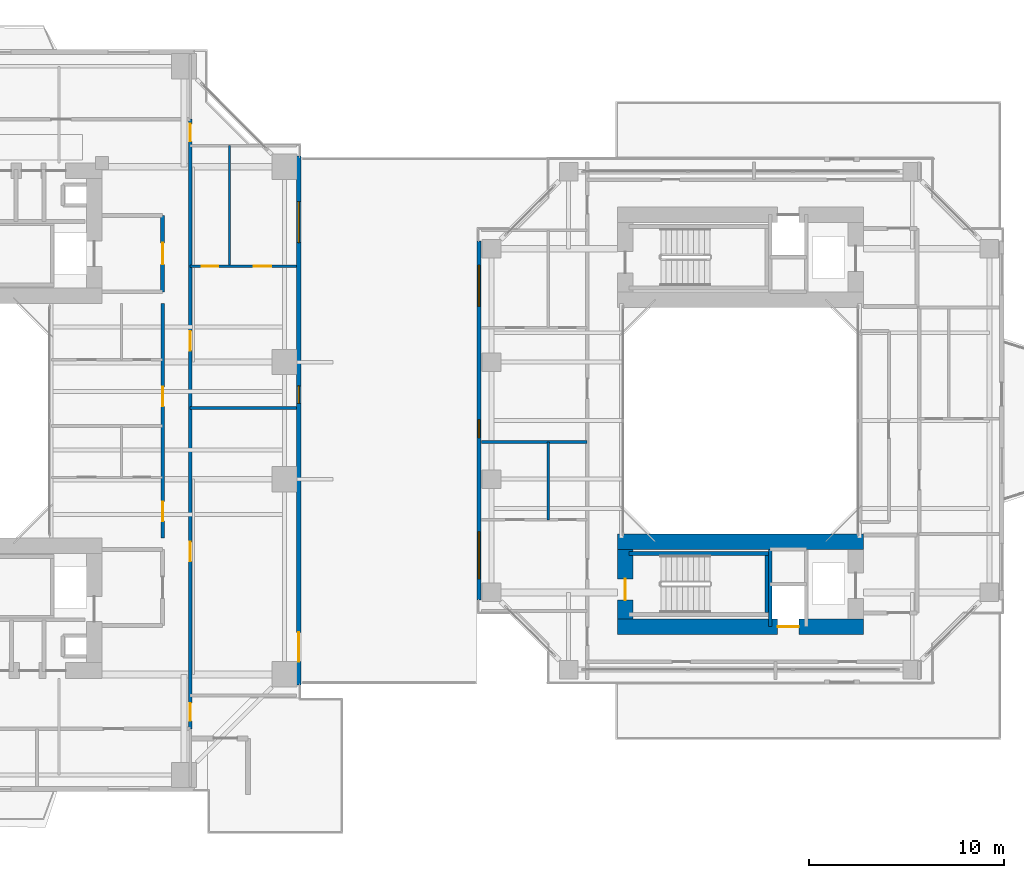
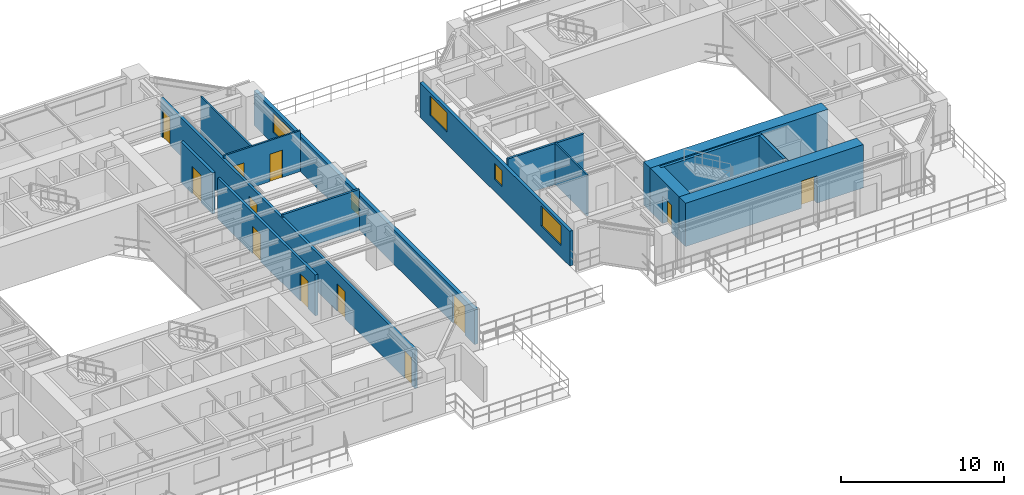
# One storey, part 13 of 22: 16 walls, 12 doors, 5 windows, 17 openings.
"""IFC4 building model written with IfcOpenShell, lengths in metres."""

from ifc_helpers import new_model, si_unit, direction, frame, frame_2d, origin, place, context, subcontext, project, spatial, rectangle, extrude, source, transform, mapped, material, layer, layer_set, type_object, element, fill, save


model = new_model("IFC4")

# Units and contexts
model_context = context("Model", 3, precision=1e-05, world=origin(), true_north=direction((0.0, 1.0)))
body_context = subcontext(model_context, "Body", "Model", "MODEL_VIEW")
ifc_project = project(units=[si_unit("LENGTHUNIT", "METRE"), si_unit("AREAUNIT", "SQUARE_METRE"), si_unit("VOLUMEUNIT", "CUBIC_METRE"), si_unit("PLANEANGLEUNIT", "RADIAN"), si_unit("MASSUNIT", "GRAM", prefix="KILO"), si_unit("THERMODYNAMICTEMPERATUREUNIT", "KELVIN"), si_unit("POWERUNIT", "WATT")], contexts=[model_context])

# Site, building, storey
site_placement = place(None, origin())
site = spatial("IfcSite", under=ifc_project, at=site_placement, CompositionType="ELEMENT")
building_placement = place(site_placement, origin())
building = spatial("IfcBuilding", under=site, at=building_placement, Name="Qiaomeng Ring Towers", CompositionType="ELEMENT")
storey_placement = place(building_placement, frame((0.0, 0.0, 23.0)))
storey = spatial("IfcBuildingStorey", under=building, at=storey_placement, Name="L05", CompositionType="ELEMENT", Elevation=23.0)

# Wall, openings, windows, door
ifc_material_1 = material(Name="Precast concrete C40", Category="concrete")
ifc_layer_1 = layer(ifc_material_1, 0.25, Name="Precast concrete C40")
ifc_layer_set_1 = layer_set([ifc_layer_1], Name="Precast concrete C40")
wall_type_1 = type_object("IfcWallType", Name="ARC-WL-EW1", PredefinedType="STANDARD", material=ifc_layer_set_1)
wall_1_placement = place(storey_placement, frame((37.875, 9.449951171875, 0.0), z_axis=(0.0, 0.0, 1.0), x_axis=(0.0, 1.0, 0.0)))
wall_1 = element("IfcWall", 1, at=wall_1_placement, inside=storey, type_object=wall_type_1, Name="L05 Tower 1 E Exterior Wall", PredefinedType="STANDARD", context=body_context, shape_type="SweptSolid", body=[
    extrude(rectangle(XDim=27.10009765625, YDim=0.25, at=frame_2d((13.550048828125, 0.0))), origin(), (0.0, 0.0, 1.0), 2.610107421875),
])
opening_1_placement = place(wall_1_placement, frame((1.199951171875, 0.0, 0.0)))
opening_1 = element("IfcOpeningElement", 2, at=opening_1_placement, cuts=wall_1, Name="Opening BD2", PredefinedType="OPENING", context=body_context, shape_type="SweptSolid", body=[
    extrude(rectangle(XDim=1.5, YDim=2.14990234375, at=frame_2d((0.75, 1.074951171875))), frame((0.0, 0.135009765625, 0.0), z_axis=(0.0, -1.0, 0.0), x_axis=(1.0, 0.0, 0.0)), (0.0, 0.0, 1.0), 0.27001953125),
])
opening_2_placement = place(wall_1_placement, frame((22.6630859375, 0.0, 0.89990234375)))
opening_2 = element("IfcOpeningElement", 3, at=opening_2_placement, cuts=wall_1, Name="Opening WN4", PredefinedType="OPENING", context=body_context, shape_type="SweptSolid", body=[
    extrude(rectangle(XDim=2.10009765625, YDim=1.47998046875, at=frame_2d((1.050048828125, 0.739990234375))), frame((0.0, 0.135009765625, 0.0), z_axis=(0.0, -1.0, 0.0), x_axis=(1.0, 0.0, 0.0)), (0.0, 0.0, 1.0), 0.27001953125),
])
opening_3_placement = place(wall_1_placement, frame((14.43505859375, 0.0, 0.89990234375)))
opening_3 = element("IfcOpeningElement", 4, at=opening_3_placement, cuts=wall_1, Name="Opening WN5", PredefinedType="OPENING", context=body_context, shape_type="SweptSolid", body=[
    extrude(rectangle(XDim=0.89990234375, YDim=1.199951171875, at=frame_2d((0.449951171875, 0.60009765625))), frame((0.0, 0.135009765625, 0.0), z_axis=(0.0, -1.0, 0.0), x_axis=(1.0, 0.0, 0.0)), (0.0, 0.0, 1.0), 0.27001953125),
])
ifc_material_2 = material(Name="Low-E dark-grey laminated double glazing", Category="glass")
window_type_1 = type_object("IfcWindowType", Name="ARC-WN-4", PartitioningType="TRIPLE_PANEL_VERTICAL", PredefinedType="WINDOW", material=ifc_material_2)
shared_shape_1 = source(origin(), body_context, "Body", "SweptSolid", [
    extrude(rectangle(XDim=2.10009765625, YDim=1.47998046875, at=frame_2d((1.050048828125, 0.739990234375))), frame((0.0, 0.030029296875, 0.0), z_axis=(0.0, -1.0, 0.0), x_axis=(1.0, 0.0, 0.0)), (0.0, 0.0, 1.0), 0.06005859375),
])
window_1_placement = place(opening_2_placement, origin())
window_1 = element("IfcWindow", 5, at=window_1_placement, inside=storey, type_object=window_type_1, Name="L05 Exterior Window WN4", OverallHeight=1.47998046875, OverallWidth=2.10009765625, PartitioningType="TRIPLE_PANEL_VERTICAL", PredefinedType="WINDOW", context=body_context, shape_type="MappedRepresentation", body=[
    mapped(shared_shape_1, transform((0.0, 0.0, 0.0), x_axis=(1.0, 0.0, 0.0), y_axis=(0.0, 1.0, 0.0), z_axis=(0.0, 0.0, 1.0), scale=1.0)),
])
fill(opening_2, window_1)
ifc_material_3 = material(Name="Low-E pale-green laminated safety glass", Category="glass")
door_type_1 = type_object("IfcDoorType", Name="ARC-DR-BD2", OperationType="NOTDEFINED", PredefinedType="DOOR", material=ifc_material_3)
shared_shape_2 = source(origin(), body_context, "Body", "SweptSolid", [
    extrude(rectangle(XDim=1.5, YDim=2.14990234375, at=frame_2d((0.75, 1.074951171875))), frame((0.0, 0.02490234375, 0.0), z_axis=(0.0, -1.0, 0.0), x_axis=(1.0, 0.0, 0.0)), (0.0, 0.0, 1.0), 0.050048828125),
])
door_1_placement = place(opening_1_placement, origin())
door_1 = element("IfcDoor", 6, at=door_1_placement, inside=storey, type_object=door_type_1, Name="L05 Shared Podium Sky Garden Door", OperationType="DOUBLE_DOOR_SINGLE_SWING", OverallHeight=2.14990234375, OverallWidth=1.5, PredefinedType="DOOR", context=body_context, shape_type="MappedRepresentation", body=[
    mapped(shared_shape_2, transform((0.0, 0.0, 0.0), x_axis=(1.0, 0.0, 0.0), y_axis=(0.0, 1.0, 0.0), z_axis=(0.0, 0.0, 1.0), scale=1.0)),
])
fill(opening_1, door_1)
window_type_2 = type_object("IfcWindowType", Name="ARC-WN-5", PartitioningType="SINGLE_PANEL", PredefinedType="WINDOW", material=ifc_material_2)
shared_shape_3 = source(origin(), body_context, "Body", "SweptSolid", [
    extrude(rectangle(XDim=0.89990234375, YDim=1.199951171875, at=frame_2d((0.449951171875, 0.60009765625))), frame((0.0, 0.030029296875, 0.0), z_axis=(0.0, -1.0, 0.0), x_axis=(1.0, 0.0, 0.0)), (0.0, 0.0, 1.0), 0.06005859375),
])
window_2_placement = place(opening_3_placement, origin())
window_2 = element("IfcWindow", 7, at=window_2_placement, inside=storey, type_object=window_type_2, Name="L05 Exterior Window WN5", OverallHeight=1.199951171875, OverallWidth=0.89990234375, PartitioningType="SINGLE_PANEL", PredefinedType="WINDOW", context=body_context, shape_type="MappedRepresentation", body=[
    mapped(shared_shape_3, transform((0.0, 0.0, 0.0), x_axis=(1.0, 0.0, 0.0), y_axis=(0.0, 1.0, 0.0), z_axis=(0.0, 0.0, 1.0), scale=1.0)),
])
fill(opening_3, window_2)

# Wall, openings, windows
ifc_layer_2 = layer(ifc_material_1, 0.219970703125, Name="Precast concrete C40")
ifc_layer_set_2 = layer_set([ifc_layer_2], Name="Precast concrete C40")
wall_type_2 = type_object("IfcWallType", Name="ARC-WL-EW2", PredefinedType="STANDARD", material=ifc_layer_set_2)
wall_2_placement = place(storey_placement, frame((47.110107421875, 13.800048828125, 0.0), z_axis=(0.0, 0.0, 1.0), x_axis=(0.0, 1.0, 0.0)))
wall_2 = element("IfcWall", 8, at=wall_2_placement, inside=storey, type_object=wall_type_2, Name="L05 Companion West Wall", PredefinedType="STANDARD", context=body_context, shape_type="SweptSolid", body=[
    extrude(rectangle(XDim=18.39990234375, YDim=0.219970703125, at=frame_2d((9.199951171875, 0.0))), origin(), (0.0, 0.0, 1.0), 2.610107421875),
])
opening_4_placement = place(wall_2_placement, frame((1.10009765625, 0.0, 0.89990234375)))
opening_4 = element("IfcOpeningElement", 9, at=opening_4_placement, cuts=wall_2, Name="Opening WN6", PredefinedType="OPENING", context=body_context, shape_type="SweptSolid", body=[
    extrude(rectangle(XDim=2.39990234375, YDim=1.47998046875, at=frame_2d((1.199951171875, 0.739990234375))), frame((0.0, 0.119873046875, 0.0), z_axis=(0.0, -1.0, 0.0), x_axis=(1.0, 0.0, 0.0)), (0.0, 0.0, 1.0), 0.239990234375),
])
opening_5_placement = place(wall_2_placement, frame((15.050048828125, 0.0, 0.89990234375)))
opening_5 = element("IfcOpeningElement", 10, at=opening_5_placement, cuts=wall_2, Name="Opening WN4", PredefinedType="OPENING", context=body_context, shape_type="SweptSolid", body=[
    extrude(rectangle(XDim=2.10009765625, YDim=1.47998046875, at=frame_2d((1.050048828125, 0.739990234375))), frame((0.0, 0.119873046875, 0.0), z_axis=(0.0, -1.0, 0.0), x_axis=(1.0, 0.0, 0.0)), (0.0, 0.0, 1.0), 0.239990234375),
])
opening_6_placement = place(wall_2_placement, frame((8.3349609375, 0.0, 0.89990234375)))
opening_6 = element("IfcOpeningElement", 11, at=opening_6_placement, cuts=wall_2, Name="Opening WN5", PredefinedType="OPENING", context=body_context, shape_type="SweptSolid", body=[
    extrude(rectangle(XDim=0.89990234375, YDim=1.199951171875, at=frame_2d((0.449951171875, 0.60009765625))), frame((0.0, 0.119873046875, 0.0), z_axis=(0.0, -1.0, 0.0), x_axis=(1.0, 0.0, 0.0)), (0.0, 0.0, 1.0), 0.239990234375),
])
window_3_placement = place(opening_5_placement, origin())
window_3 = element("IfcWindow", 12, at=window_3_placement, inside=storey, type_object=window_type_1, Name="L05 Exterior Window WN4", OverallHeight=1.47998046875, OverallWidth=2.10009765625, PartitioningType="TRIPLE_PANEL_VERTICAL", PredefinedType="WINDOW", context=body_context, shape_type="MappedRepresentation", body=[
    mapped(shared_shape_1, transform((0.0, 0.0, 0.0), x_axis=(1.0, 0.0, 0.0), y_axis=(0.0, 1.0, 0.0), z_axis=(0.0, 0.0, 1.0), scale=1.0)),
])
fill(opening_5, window_3)
window_type_3 = type_object("IfcWindowType", Name="ARC-WN-6", PartitioningType="TRIPLE_PANEL_VERTICAL", PredefinedType="WINDOW", material=ifc_material_2)
shared_shape_4 = source(origin(), body_context, "Body", "SweptSolid", [
    extrude(rectangle(XDim=2.39990234375, YDim=1.47998046875, at=frame_2d((1.199951171875, 0.739990234375))), frame((0.0, 0.030029296875, 0.0), z_axis=(0.0, -1.0, 0.0), x_axis=(1.0, 0.0, 0.0)), (0.0, 0.0, 1.0), 0.06005859375),
])
window_4_placement = place(opening_4_placement, origin())
window_4 = element("IfcWindow", 13, at=window_4_placement, inside=storey, type_object=window_type_3, Name="L05 Exterior Window WN6", OverallHeight=1.47998046875, OverallWidth=2.39990234375, PartitioningType="TRIPLE_PANEL_VERTICAL", PredefinedType="WINDOW", context=body_context, shape_type="MappedRepresentation", body=[
    mapped(shared_shape_4, transform((0.0, 0.0, 0.0), x_axis=(1.0, 0.0, 0.0), y_axis=(0.0, 1.0, 0.0), z_axis=(0.0, 0.0, 1.0), scale=1.0)),
])
fill(opening_4, window_4)
window_5_placement = place(opening_6_placement, origin())
window_5 = element("IfcWindow", 14, at=window_5_placement, inside=storey, type_object=window_type_2, Name="L05 Exterior Window WN5", OverallHeight=1.199951171875, OverallWidth=0.89990234375, PartitioningType="SINGLE_PANEL", PredefinedType="WINDOW", context=body_context, shape_type="MappedRepresentation", body=[
    mapped(shared_shape_3, transform((0.0, 0.0, 0.0), x_axis=(1.0, 0.0, 0.0), y_axis=(0.0, 1.0, 0.0), z_axis=(0.0, 0.0, 1.0), scale=1.0)),
])
fill(opening_6, window_5)

# Wall, opening, door
ifc_material_4 = material(Name="Autoclaved aerated concrete block", Category="concrete")
ifc_layer_3 = layer(ifc_material_4, 0.199951171875, Name="Autoclaved aerated concrete block")
ifc_layer_set_3 = layer_set([ifc_layer_3], Name="Autoclaved aerated concrete block")
wall_type_3 = type_object("IfcWallType", Name="ARC-WL-PW1", PredefinedType="PARTITIONING", material=ifc_layer_set_3)
wall_3_placement = place(storey_placement, frame((30.89990234375, 29.60009765625, 0.0), z_axis=(0.0, 0.0, 1.0), x_axis=(0.0, 1.0, 0.0)))
wall_3 = element("IfcWall", 15, at=wall_3_placement, inside=storey, type_object=wall_type_3, Name="L05 Interior Wall PW1", PredefinedType="PARTITIONING", context=body_context, shape_type="SweptSolid", body=[
    extrude(rectangle(XDim=3.89990234375, YDim=0.199951171875, at=frame_2d((1.949951171875, 0.0))), origin(), (0.0, 0.0, 1.0), 3.070068359375),
])
opening_7_placement = place(wall_3_placement, frame((1.39990234375, 0.0, 0.0)))
opening_7 = element("IfcOpeningElement", 16, at=opening_7_placement, cuts=wall_3, Name="Opening FD3", PredefinedType="OPENING", context=body_context, shape_type="SweptSolid", body=[
    extrude(rectangle(XDim=1.10009765625, YDim=2.050048828125, at=frame_2d((0.550048828125, 1.02490234375))), frame((0.0, 0.10986328125, 0.0), z_axis=(0.0, -1.0, 0.0), x_axis=(1.0, 0.0, 0.0)), (0.0, 0.0, 1.0), 0.219970703125),
])
ifc_material_5 = material(Name="Galvanised steel", Category="steel")
door_type_2 = type_object("IfcDoorType", Name="ARC-DR-FD3", OperationType="NOTDEFINED", PredefinedType="DOOR", material=ifc_material_5)
shared_shape_5 = source(origin(), body_context, "Body", "SweptSolid", [
    extrude(rectangle(XDim=1.10009765625, YDim=2.050048828125, at=frame_2d((0.550048828125, 1.02490234375))), frame((0.0, 0.02490234375, 0.0), z_axis=(0.0, -1.0, 0.0), x_axis=(1.0, 0.0, 0.0)), (0.0, 0.0, 1.0), 0.050048828125),
])
door_2_placement = place(opening_7_placement, origin())
door_2 = element("IfcDoor", 17, at=door_2_placement, inside=storey, type_object=door_type_2, Name="L05 North FF Lobby Door", OperationType="SINGLE_SWING_RIGHT", OverallHeight=2.050048828125, OverallWidth=1.10009765625, PredefinedType="DOOR", context=body_context, shape_type="MappedRepresentation", body=[
    mapped(shared_shape_5, transform((0.0, 0.0, 0.0), x_axis=(1.0, 0.0, 0.0), y_axis=(0.0, 1.0, 0.0), z_axis=(0.0, 0.0, 1.0), scale=1.0)),
])
fill(opening_7, door_2)

# Wall, openings, doors
ifc_layer_4 = layer(ifc_material_4, 0.179931640625, Name="Autoclaved aerated concrete block")
ifc_layer_set_4 = layer_set([ifc_layer_4], Name="Autoclaved aerated concrete block")
wall_type_4 = type_object("IfcWallType", Name="ARC-WL-PW2", PredefinedType="PARTITIONING", material=ifc_layer_set_4)
wall_4_placement = place(storey_placement, frame((32.320068359375, 7.2099609375, 0.0), z_axis=(0.0, 0.0, 1.0), x_axis=(0.0, 1.0, 0.0)))
wall_4 = element("IfcWall", 18, at=wall_4_placement, inside=storey, type_object=wall_type_4, Name="L05 Interior Wall PW2", PredefinedType="PARTITIONING", context=body_context, shape_type="SweptSolid", body=[
    extrude(rectangle(XDim=31.22998046875, YDim=0.179931640625, at=frame_2d((15.614990234375, 0.0))), origin(), (0.0, 0.0, 1.0), 2.864990234375),
])
opening_8_placement = place(wall_4_placement, frame((30.090087890625, 0.0, 0.0)))
opening_8 = element("IfcOpeningElement", 19, at=opening_8_placement, cuts=wall_4, Name="Opening ID1", PredefinedType="OPENING", context=body_context, shape_type="SweptSolid", body=[
    extrude(rectangle(XDim=0.89990234375, YDim=2.050048828125, at=frame_2d((0.449951171875, 1.02490234375))), frame((0.0, 0.099853515625, 0.0), z_axis=(0.0, -1.0, 0.0), x_axis=(1.0, 0.0, 0.0)), (0.0, 0.0, 1.0), 0.199951171875),
])
opening_9_placement = place(wall_4_placement, frame((0.4150390625, 0.0, 0.0)))
opening_9 = element("IfcOpeningElement", 20, at=opening_9_placement, cuts=wall_4, Name="Opening ID1", PredefinedType="OPENING", context=body_context, shape_type="SweptSolid", body=[
    extrude(rectangle(XDim=0.89990234375, YDim=2.050048828125, at=frame_2d((0.449951171875, 1.02490234375))), frame((0.0, 0.099853515625, 0.0), z_axis=(0.0, -1.0, 0.0), x_axis=(1.0, 0.0, 0.0)), (0.0, 0.0, 1.0), 0.199951171875),
])
opening_10_placement = place(wall_4_placement, frame((8.574951171875, 0.0, 0.0)))
opening_10 = element("IfcOpeningElement", 21, at=opening_10_placement, cuts=wall_4, Name="Opening FD4", PredefinedType="OPENING", context=body_context, shape_type="SweptSolid", body=[
    extrude(rectangle(XDim=1.0, YDim=2.050048828125, at=frame_2d((0.5, 1.02490234375))), frame((0.0, 0.099853515625, 0.0), z_axis=(0.0, -1.0, 0.0), x_axis=(1.0, 0.0, 0.0)), (0.0, 0.0, 1.0), 0.199951171875),
])
opening_11_placement = place(wall_4_placement, frame((19.375, 0.0, 0.0)))
opening_11 = element("IfcOpeningElement", 22, at=opening_11_placement, cuts=wall_4, Name="Opening FD4", PredefinedType="OPENING", context=body_context, shape_type="SweptSolid", body=[
    extrude(rectangle(XDim=1.0, YDim=2.050048828125, at=frame_2d((0.5, 1.02490234375))), frame((0.0, 0.099853515625, 0.0), z_axis=(0.0, -1.0, 0.0), x_axis=(1.0, 0.0, 0.0)), (0.0, 0.0, 1.0), 0.199951171875),
])
ifc_material_6 = material(Name="Engineered fire-rated oak timber", Category="wood")
door_type_3 = type_object("IfcDoorType", Name="ARC-DR-FD4", OperationType="NOTDEFINED", PredefinedType="DOOR", material=ifc_material_6)
shared_shape_6 = source(origin(), body_context, "Body", "SweptSolid", [
    extrude(rectangle(XDim=1.0, YDim=2.050048828125, at=frame_2d((0.5, 1.02490234375))), frame((0.0, 0.02490234375, 0.0), z_axis=(0.0, -1.0, 0.0), x_axis=(1.0, 0.0, 0.0)), (0.0, 0.0, 1.0), 0.050048828125),
])
door_3_placement = place(opening_10_placement, origin())
door_3 = element("IfcDoor", 23, at=door_3_placement, inside=storey, type_object=door_type_3, Name="L05 Door FD4", OperationType="SINGLE_SWING_RIGHT", OverallHeight=2.050048828125, OverallWidth=1.0, PredefinedType="DOOR", context=body_context, shape_type="MappedRepresentation", body=[
    mapped(shared_shape_6, transform((0.0, 0.0, 0.0), x_axis=(1.0, 0.0, 0.0), y_axis=(0.0, 1.0, 0.0), z_axis=(0.0, 0.0, 1.0), scale=1.0)),
])
fill(opening_10, door_3)
door_4_placement = place(opening_11_placement, origin())
door_4 = element("IfcDoor", 24, at=door_4_placement, inside=storey, type_object=door_type_3, Name="L05 Door FD4", OperationType="SINGLE_SWING_LEFT", OverallHeight=2.050048828125, OverallWidth=1.0, PredefinedType="DOOR", context=body_context, shape_type="MappedRepresentation", body=[
    mapped(shared_shape_6, transform((0.0, 0.0, 0.0), x_axis=(1.0, 0.0, 0.0), y_axis=(0.0, 1.0, 0.0), z_axis=(0.0, 0.0, 1.0), scale=1.0)),
])
fill(opening_11, door_4)
ifc_material_7 = material(Name="Engineered oak timber", Category="wood")
door_type_4 = type_object("IfcDoorType", Name="ARC-DR-ID1", OperationType="NOTDEFINED", PredefinedType="DOOR", material=ifc_material_7)
shared_shape_7 = source(origin(), body_context, "Body", "SweptSolid", [
    extrude(rectangle(XDim=0.89990234375, YDim=2.050048828125, at=frame_2d((0.449951171875, 1.02490234375))), frame((0.0, 0.02490234375, 0.0), z_axis=(0.0, -1.0, 0.0), x_axis=(1.0, 0.0, 0.0)), (0.0, 0.0, 1.0), 0.050048828125),
])
door_5_placement = place(opening_8_placement, origin())
door_5 = element("IfcDoor", 25, at=door_5_placement, inside=storey, type_object=door_type_4, Name="L05 Door ID1", OperationType="SINGLE_SWING_RIGHT", OverallHeight=2.050048828125, OverallWidth=0.89990234375, PredefinedType="DOOR", context=body_context, shape_type="MappedRepresentation", body=[
    mapped(shared_shape_7, transform((0.0, 0.0, 0.0), x_axis=(1.0, 0.0, 0.0), y_axis=(0.0, 1.0, 0.0), z_axis=(0.0, 0.0, 1.0), scale=1.0)),
])
fill(opening_8, door_5)
door_6_placement = place(opening_9_placement, origin())
door_6 = element("IfcDoor", 26, at=door_6_placement, inside=storey, type_object=door_type_4, Name="L05 Door ID1", OperationType="SINGLE_SWING_LEFT", OverallHeight=2.050048828125, OverallWidth=0.89990234375, PredefinedType="DOOR", context=body_context, shape_type="MappedRepresentation", body=[
    mapped(shared_shape_7, transform((0.0, 0.0, 0.0), x_axis=(1.0, 0.0, 0.0), y_axis=(0.0, 1.0, 0.0), z_axis=(0.0, 0.0, 1.0), scale=1.0)),
])
fill(opening_9, door_6)

wall_5_placement = place(storey_placement, frame((30.89990234375, 17.0, 0.0), z_axis=(0.0, 0.0, 1.0), x_axis=(0.0, 1.0, 0.0)))
wall_5 = element("IfcWall", 27, at=wall_5_placement, inside=storey, type_object=wall_type_4, Name="L05 Interior Wall PW2", PredefinedType="PARTITIONING", context=body_context, shape_type="SweptSolid", body=[
    extrude(rectangle(XDim=12.0, YDim=0.179931640625, at=frame_2d((6.0, 0.0))), origin(), (0.0, 0.0, 1.0), 3.070068359375),
])
opening_12_placement = place(wall_5_placement, frame((0.85498046875, 0.0, 0.0)))
opening_12 = element("IfcOpeningElement", 28, at=opening_12_placement, cuts=wall_5, Name="Opening FD4", PredefinedType="OPENING", context=body_context, shape_type="SweptSolid", body=[
    extrude(rectangle(XDim=1.0, YDim=2.050048828125, at=frame_2d((0.5, 1.02490234375))), frame((0.0, 0.099853515625, 0.0), z_axis=(0.0, -1.0, 0.0), x_axis=(1.0, 0.0, 0.0)), (0.0, 0.0, 1.0), 0.199951171875),
])
opening_13_placement = place(wall_5_placement, frame((6.72509765625, 0.0, 0.0)))
opening_13 = element("IfcOpeningElement", 29, at=opening_13_placement, cuts=wall_5, Name="Opening FD4", PredefinedType="OPENING", context=body_context, shape_type="SweptSolid", body=[
    extrude(rectangle(XDim=1.0, YDim=2.050048828125, at=frame_2d((0.5, 1.02490234375))), frame((0.0, 0.099853515625, 0.0), z_axis=(0.0, -1.0, 0.0), x_axis=(1.0, 0.0, 0.0)), (0.0, 0.0, 1.0), 0.199951171875),
])
door_7_placement = place(opening_12_placement, origin())
door_7 = element("IfcDoor", 30, at=door_7_placement, inside=storey, type_object=door_type_3, Name="L05 Door FD4", OperationType="SINGLE_SWING_RIGHT", OverallHeight=2.050048828125, OverallWidth=1.0, PredefinedType="DOOR", context=body_context, shape_type="MappedRepresentation", body=[
    mapped(shared_shape_6, transform((0.0, 0.0, 0.0), x_axis=(1.0, 0.0, 0.0), y_axis=(0.0, 1.0, 0.0), z_axis=(0.0, 0.0, 1.0), scale=1.0)),
])
fill(opening_12, door_7)
door_8_placement = place(opening_13_placement, origin())
door_8 = element("IfcDoor", 31, at=door_8_placement, inside=storey, type_object=door_type_3, Name="L05 Door FD4", OperationType="SINGLE_SWING_LEFT", OverallHeight=2.050048828125, OverallWidth=1.0, PredefinedType="DOOR", context=body_context, shape_type="MappedRepresentation", body=[
    mapped(shared_shape_6, transform((0.0, 0.0, 0.0), x_axis=(1.0, 0.0, 0.0), y_axis=(0.0, 1.0, 0.0), z_axis=(0.0, 0.0, 1.0), scale=1.0)),
])
fill(opening_13, door_8)

# Walls
ifc_material_8 = material(Name="Gypsum fireboard steel-stud partition", Category="steel")
ifc_layer_5 = layer(ifc_material_8, 0.14990234375, Name="Gypsum fireboard steel-stud partition")
ifc_layer_set_5 = layer_set([ifc_layer_5], Name="Gypsum fireboard steel-stud partition")
wall_type_5 = type_object("IfcWallType", Name="ARC-WL-PW3", PredefinedType="PARTITIONING", material=ifc_layer_set_5)
wall_6_placement = place(storey_placement, frame((32.320068359375, 23.64990234375, 0.0), z_axis=(0.0, 0.0, 1.0), x_axis=(1.0, 0.0, 0.0)))
element("IfcWall", 32, at=wall_6_placement, inside=storey, type_object=wall_type_5, Name="L05 Interior Wall PW3", PredefinedType="PARTITIONING", context=body_context, shape_type="SweptSolid", body=[
    extrude(rectangle(XDim=5.429931640625, YDim=0.14990234375, at=frame_2d((2.71484375, 0.0))), origin(), (0.0, 0.0, 1.0), 3.070068359375),
])
wall_7_placement = place(storey_placement, frame((47.25, 21.89990234375, 0.0), z_axis=(0.0, 0.0, 1.0), x_axis=(1.0, 0.0, 0.0)))
element("IfcWall", 33, at=wall_7_placement, inside=storey, type_object=wall_type_5, Name="L05 Interior Wall PW3", PredefinedType="PARTITIONING", context=body_context, shape_type="SweptSolid", body=[
    extrude(rectangle(XDim=5.39990234375, YDim=0.14990234375, at=frame_2d((2.699951171875, 0.0))), origin(), (0.0, 0.0, 1.0), 3.070068359375),
])

# Wall, openings, doors
ifc_material_9 = material(Name="Moisture-resistant gypsum steel-stud partition", Category="steel")
ifc_layer_6 = layer(ifc_material_9, 0.1201171875, Name="Moisture-resistant gypsum steel-stud partition")
ifc_layer_set_6 = layer_set([ifc_layer_6], Name="Moisture-resistant gypsum steel-stud partition")
wall_type_6 = type_object("IfcWallType", Name="ARC-WL-PW4", PredefinedType="PLUMBINGWALL", material=ifc_layer_set_6)
wall_8_placement = place(storey_placement, frame((32.320068359375, 30.89990234375, 0.0), z_axis=(0.0, 0.0, 1.0), x_axis=(1.0, 0.0, 0.0)))
wall_8 = element("IfcWall", 34, at=wall_8_placement, inside=storey, type_object=wall_type_6, Name="L05 Interior Wall PW4", PredefinedType="PLUMBINGWALL", context=body_context, shape_type="SweptSolid", body=[
    extrude(rectangle(XDim=5.429931640625, YDim=0.1201171875, at=frame_2d((2.71484375, 0.0))), origin(), (0.0, 0.0, 1.0), 3.070068359375),
])
opening_14_placement = place(wall_8_placement, frame((0.590087890625, 0.0, 0.0)))
opening_14 = element("IfcOpeningElement", 35, at=opening_14_placement, cuts=wall_8, Name="Opening ID2", PredefinedType="OPENING", context=body_context, shape_type="SweptSolid", body=[
    extrude(rectangle(XDim=0.85009765625, YDim=2.050048828125, at=frame_2d((0.425048828125, 1.02490234375))), frame((0.0, 0.070068359375, 0.0), z_axis=(0.0, -1.0, 0.0), x_axis=(1.0, 0.0, 0.0)), (0.0, 0.0, 1.0), 0.14013671875),
])
opening_15_placement = place(wall_8_placement, frame((3.260009765625, 0.0, 0.0)))
opening_15 = element("IfcOpeningElement", 36, at=opening_15_placement, cuts=wall_8, Name="Opening ID1", PredefinedType="OPENING", context=body_context, shape_type="SweptSolid", body=[
    extrude(rectangle(XDim=0.89990234375, YDim=2.050048828125, at=frame_2d((0.449951171875, 1.02490234375))), frame((0.0, 0.070068359375, 0.0), z_axis=(0.0, -1.0, 0.0), x_axis=(1.0, 0.0, 0.0)), (0.0, 0.0, 1.0), 0.14013671875),
])
ifc_material_10 = material(Name="Moisture-resistant engineered timber", Category="wood")
door_type_5 = type_object("IfcDoorType", Name="ARC-DR-ID2", OperationType="NOTDEFINED", PredefinedType="DOOR", material=ifc_material_10)
shared_shape_8 = source(origin(), body_context, "Body", "SweptSolid", [
    extrude(rectangle(XDim=0.85009765625, YDim=2.050048828125, at=frame_2d((0.425048828125, 1.02490234375))), frame((0.0, 0.02490234375, 0.0), z_axis=(0.0, -1.0, 0.0), x_axis=(1.0, 0.0, 0.0)), (0.0, 0.0, 1.0), 0.050048828125),
])
door_9_placement = place(opening_14_placement, origin())
door_9 = element("IfcDoor", 37, at=door_9_placement, inside=storey, type_object=door_type_5, Name="L05 Door ID2", OperationType="SINGLE_SWING_LEFT", OverallHeight=2.050048828125, OverallWidth=0.85009765625, PredefinedType="DOOR", context=body_context, shape_type="MappedRepresentation", body=[
    mapped(shared_shape_8, transform((0.0, 0.0, 0.0), x_axis=(1.0, 0.0, 0.0), y_axis=(0.0, 1.0, 0.0), z_axis=(0.0, 0.0, 1.0), scale=1.0)),
])
fill(opening_14, door_9)
door_10_placement = place(opening_15_placement, origin())
door_10 = element("IfcDoor", 38, at=door_10_placement, inside=storey, type_object=door_type_4, Name="L05 Door ID1", OperationType="SINGLE_SWING_RIGHT", OverallHeight=2.050048828125, OverallWidth=0.89990234375, PredefinedType="DOOR", context=body_context, shape_type="MappedRepresentation", body=[
    mapped(shared_shape_7, transform((0.0, 0.0, 0.0), x_axis=(1.0, 0.0, 0.0), y_axis=(0.0, 1.0, 0.0), z_axis=(0.0, 0.0, 1.0), scale=1.0)),
])
fill(opening_15, door_10)

# Walls
wall_9_placement = place(storey_placement, frame((34.330078125, 30.89990234375, 0.0), z_axis=(0.0, 0.0, 1.0), x_axis=(0.0, 1.0, 0.0)))
element("IfcWall", 39, at=wall_9_placement, inside=storey, type_object=wall_type_6, Name="L05 Interior Wall PW4", PredefinedType="PLUMBINGWALL", context=body_context, shape_type="SweptSolid", body=[
    extrude(rectangle(XDim=6.18017578125, YDim=0.1201171875, at=frame_2d((3.090087890625, 0.0))), origin(), (0.0, 0.0, 1.0), 3.070068359375),
])
wall_10_placement = place(storey_placement, frame((50.64990234375, 17.919921875, 0.0), z_axis=(0.0, 0.0, 1.0), x_axis=(0.0, 1.0, 0.0)))
element("IfcWall", 40, at=wall_10_placement, inside=storey, type_object=wall_type_6, Name="L05 Interior Wall PW4", PredefinedType="PLUMBINGWALL", context=body_context, shape_type="SweptSolid", body=[
    extrude(rectangle(XDim=3.97998046875, YDim=0.1201171875, at=frame_2d((1.989990234375, 0.0))), origin(), (0.0, 0.0, 1.0), 3.070068359375),
])
ifc_material_11 = material(Name="Concrete C40", Category="concrete")
ifc_layer_7 = layer(ifc_material_11, 0.199951171875, Name="Concrete C40")
ifc_layer_set_7 = layer_set([ifc_layer_7], Name="Concrete C40")
wall_type_7 = type_object("IfcWallType", Name="STR-WL-STSHAFT", PredefinedType="SHEAR", material=ifc_layer_set_7)
wall_11_placement = place(storey_placement, frame((62.02001953125, 12.449951171875, 0.0), z_axis=(0.0, 0.0, 1.0), x_axis=(0.0, 1.0, 0.0)))
element("IfcWall", 41, at=wall_11_placement, inside=storey, type_object=wall_type_7, Name="L05 Companion Lift Shaft West Wall S", PredefinedType="SHEAR", context=body_context, shape_type="SweptSolid", body=[
    extrude(rectangle(XDim=3.949951171875, YDim=0.179931640625, at=frame_2d((1.97509765625, 0.0))), origin(), (0.0, 0.0, 1.0), 3.070068359375),
])
wall_12_placement = place(storey_placement, frame((54.800048828125, 16.199951171875, 0.0), z_axis=(0.0, 0.0, 1.0), x_axis=(1.0, 0.0, 0.0)))
element("IfcWall", 42, at=wall_12_placement, inside=storey, type_object=wall_type_7, Name="L05 Stair ST6 North Shaft Shear Wall", PredefinedType="SHEAR", context=body_context, shape_type="SweptSolid", body=[
    extrude(rectangle(XDim=7.14990234375, YDim=0.199951171875, at=frame_2d((3.574951171875, 0.0))), origin(), (0.0, 0.0, 1.0), 3.25),
])
wall_13_placement = place(storey_placement, frame((61.85009765625, 13.159912109375, 0.0), z_axis=(0.0, 0.0, 1.0), x_axis=(0.0, 1.0, 0.0)))
element("IfcWall", 43, at=wall_13_placement, inside=storey, type_object=wall_type_7, Name="L05 Stair ST6 East Shaft Shear Wall", PredefinedType="SHEAR", context=body_context, shape_type="SweptSolid", body=[
    extrude(rectangle(XDim=2.940185546875, YDim=0.199951171875, at=frame_2d((1.47021484375, 0.0))), origin(), (0.0, 0.0, 1.0), 3.25),
])

# Wall, opening, door
ifc_material_12 = material(Name="Concrete C60", Category="concrete")
ifc_layer_8 = layer(ifc_material_12, 0.800048828125, Name="Concrete C60")
ifc_layer_set_8 = layer_set([ifc_layer_8], Name="Concrete C60")
wall_type_8 = type_object("IfcWallType", Name="STR-WL-SW1", PredefinedType="SHEAR", material=ifc_layer_set_8)
wall_14_placement = place(storey_placement, frame((54.199951171875, 12.449951171875, 0.0), z_axis=(0.0, 0.0, 1.0), x_axis=(1.0, 0.0, 0.0)))
wall_14 = element("IfcWall", 44, at=wall_14_placement, inside=storey, type_object=wall_type_8, Name="L05 T2SC south core shear wall", PredefinedType="SHEAR", context=body_context, shape_type="SweptSolid", body=[
    extrude(rectangle(XDim=12.60009765625, YDim=0.800048828125, at=frame_2d((6.300048828125, 0.0))), origin(), (0.0, 0.0, 1.0), 3.25),
])
opening_16_placement = place(wall_14_placement, frame((8.199951171875, 0.0, 0.0)))
opening_16 = element("IfcOpeningElement", 45, at=opening_16_placement, cuts=wall_14, Name="Opening LD1", PredefinedType="OPENING", context=body_context, shape_type="SweptSolid", body=[
    extrude(rectangle(XDim=1.10009765625, YDim=2.050048828125, at=frame_2d((0.550048828125, 1.02490234375))), frame((0.0, 0.409912109375, 0.0), z_axis=(0.0, -1.0, 0.0), x_axis=(1.0, 0.0, 0.0)), (0.0, 0.0, 1.0), 0.820068359375),
])
ifc_material_13 = material(Name="Stainless steel 316", Category="steel")
door_type_6 = type_object("IfcDoorType", Name="ARC-DR-LD1", OperationType="NOTDEFINED", PredefinedType="DOOR", material=ifc_material_13)
door_11_placement = place(opening_16_placement, origin())
door_11 = element("IfcDoor", 46, at=door_11_placement, inside=storey, type_object=door_type_6, Name="L05 Companion Lift LP8 Landing Door", OperationType="SLIDING_TO_RIGHT", OverallHeight=2.050048828125, OverallWidth=1.10009765625, PredefinedType="DOOR", context=body_context, shape_type="MappedRepresentation", body=[
    mapped(shared_shape_5, transform((0.0, 0.0, 0.0), x_axis=(1.0, 0.0, 0.0), y_axis=(0.0, 1.0, 0.0), z_axis=(0.0, 0.0, 1.0), scale=1.0)),
])
fill(opening_16, door_11)

# Wall
wall_15_placement = place(storey_placement, frame((54.199951171875, 16.800048828125, 0.0), z_axis=(0.0, 0.0, 1.0), x_axis=(1.0, 0.0, 0.0)))
element("IfcWall", 47, at=wall_15_placement, inside=storey, type_object=wall_type_8, Name="L05 T2SC north core shear wall", PredefinedType="SHEAR", context=body_context, shape_type="SweptSolid", body=[
    extrude(rectangle(XDim=12.60009765625, YDim=0.800048828125, at=frame_2d((6.300048828125, 0.0))), origin(), (0.0, 0.0, 1.0), 3.25),
])

# Wall, opening, door
wall_16_placement = place(storey_placement, frame((54.60009765625, 12.85009765625, 0.0), z_axis=(0.0, 0.0, 1.0), x_axis=(0.0, 1.0, 0.0)))
wall_16 = element("IfcWall", 48, at=wall_16_placement, inside=storey, type_object=wall_type_8, Name="L05 T2SC west core shear wall", PredefinedType="SHEAR", context=body_context, shape_type="SweptSolid", body=[
    extrude(rectangle(XDim=3.5498046875, YDim=0.800048828125, at=frame_2d((1.77490234375, 0.0))), origin(), (0.0, 0.0, 1.0), 3.25),
])
opening_17_placement = place(wall_16_placement, frame((0.949951171875, 0.0, 0.0)))
opening_17 = element("IfcOpeningElement", 49, at=opening_17_placement, cuts=wall_16, Name="Opening FD3", PredefinedType="OPENING", context=body_context, shape_type="SweptSolid", body=[
    extrude(rectangle(XDim=1.10009765625, YDim=2.050048828125, at=frame_2d((0.550048828125, 1.02490234375))), frame((0.0, 0.409912109375, 0.0), z_axis=(0.0, -1.0, 0.0), x_axis=(1.0, 0.0, 0.0)), (0.0, 0.0, 1.0), 0.820068359375),
])
door_12_placement = place(opening_17_placement, origin())
door_12 = element("IfcDoor", 50, at=door_12_placement, inside=storey, type_object=door_type_2, Name="L05 Stair ST6 Exit Door", OperationType="SINGLE_SWING_LEFT", OverallHeight=2.050048828125, OverallWidth=1.10009765625, PredefinedType="DOOR", context=body_context, shape_type="MappedRepresentation", body=[
    mapped(shared_shape_5, transform((0.0, 0.0, 0.0), x_axis=(1.0, 0.0, 0.0), y_axis=(0.0, 1.0, 0.0), z_axis=(0.0, 0.0, 1.0), scale=1.0)),
])
fill(opening_17, door_12)

save(model, "model.ifc")
